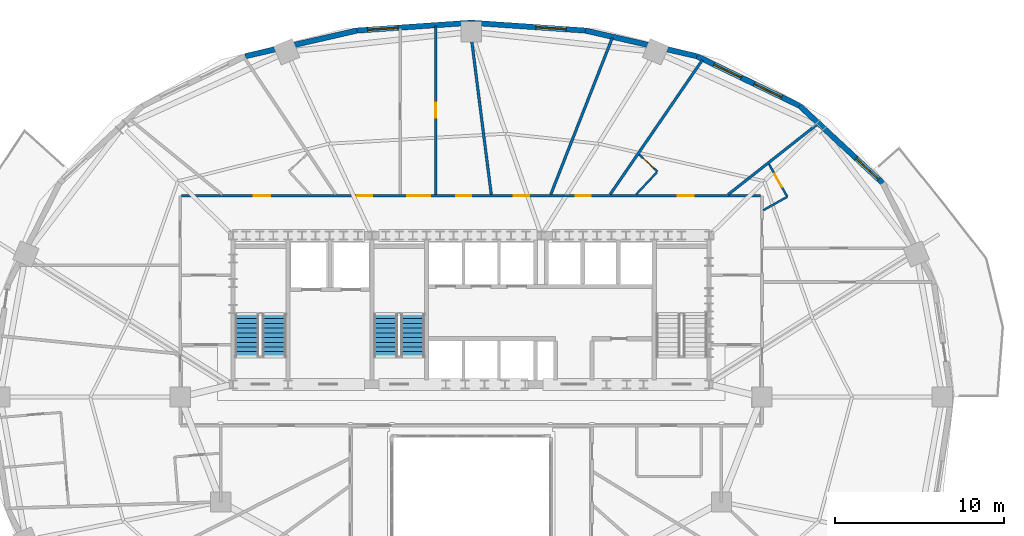
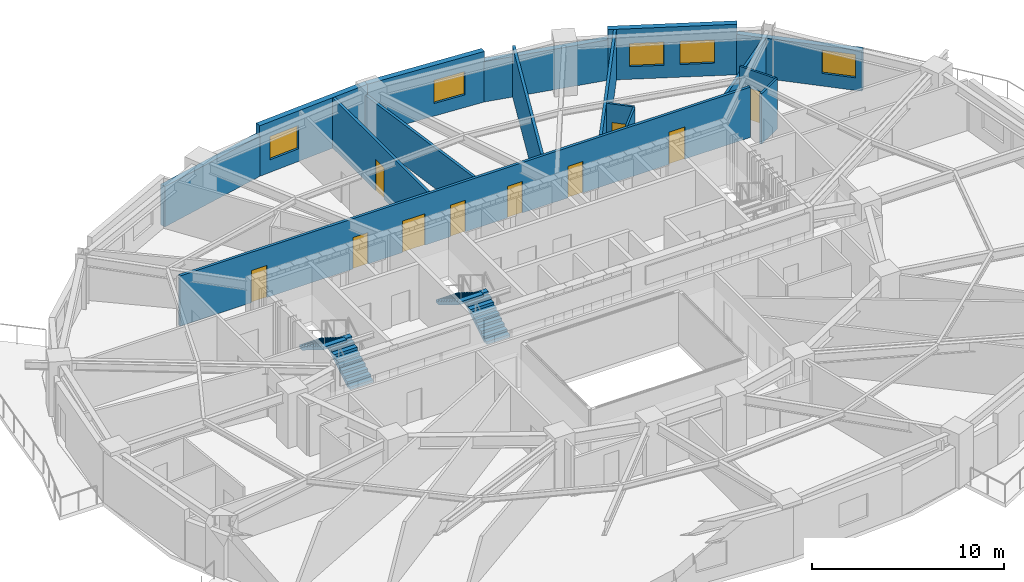
# One storey, part 10 of 14: 16 walls, 10 doors, 5 windows, 4 stair flights, 15 openings, 2 elements without a shape of their own.
"""IFC4 building model written with IfcOpenShell, lengths in metres."""

from ifc_helpers import new_model, si_unit, direction, frame, frame_2d, origin, place, context, subcontext, project, spatial, polyline, rectangle, outline, extrude, material, layer, layer_set, type_object, element, fill, aggregate, save


model = new_model("IFC4")

# Units and contexts
model_context = context("Model", 3, precision=1e-05, world=origin(), true_north=direction((0.0, 1.0)))
body_context = subcontext(model_context, "Body", "Model", "MODEL_VIEW")
ifc_project = project(units=[si_unit("LENGTHUNIT", "METRE"), si_unit("AREAUNIT", "SQUARE_METRE"), si_unit("VOLUMEUNIT", "CUBIC_METRE"), si_unit("PLANEANGLEUNIT", "RADIAN"), si_unit("MASSUNIT", "GRAM", prefix="KILO")], contexts=[model_context])

# Site, building, storey
site_placement = place(None, origin())
site = spatial("IfcSite", under=ifc_project, at=site_placement, CompositionType="ELEMENT")
building_placement = place(site_placement, origin())
building = spatial("IfcBuilding", under=site, at=building_placement, Name="Haldorwick Loom Tower", CompositionType="ELEMENT")
storey_placement = place(building_placement, frame((0.0, 0.0, 95.60009765625)))
storey = spatial("IfcBuildingStorey", under=building, at=storey_placement, Name="L25", CompositionType="ELEMENT", Elevation=95.60009765625)

# Wall, opening, window
ifc_material_1 = material(Name="Pressed Clay Face Brick and Insulated Masonry Backup Assembly", Category="masonry")
ifc_layer_1 = layer(ifc_material_1, 0.320068359375, Name="Pressed Clay Face Brick and Insulated Masonry Backup Assembly", Category="masonry")
ifc_layer_set_1 = layer_set([ifc_layer_1], Name="Pressed Clay Face Brick and Insulated Masonry Backup Assembly")
wall_type_1 = type_object("IfcWallType", Name="ARC-WL-EXT320", PredefinedType="STANDARD", material=ifc_layer_set_1)
wall_1_placement = place(storey_placement, frame((60.338623046875, 38.655517578125, 0.0), z_axis=(0.0, 0.0, 1.0), x_axis=(-0.732137360086, 0.681157020052, 0.0)))
wall_1 = element("IfcWall", 1, at=wall_1_placement, inside=storey, type_object=wall_type_1, Name="L25 Brick Pier and Spandrel Wall 3", PredefinedType="STANDARD", context=body_context, shape_type="SweptSolid", body=[
    extrude(rectangle(XDim=6.709228515625, YDim=0.320068359375, at=frame_2d((3.3544921875, 0.0))), origin(), (0.0, 0.0, 1.0), 2.56884765625),
])
opening_1_placement = place(wall_1_placement, frame((0.340087890625, 0.0, 0.800048828125)))
opening_1 = element("IfcOpeningElement", 2, at=opening_1_placement, cuts=wall_1, Name="Opening W-01", PredefinedType="OPENING", context=body_context, shape_type="SweptSolid", body=[
    extrude(rectangle(XDim=1.800048828125, YDim=1.47998046875, at=frame_2d((0.89990234375, 0.739990234375))), frame((0.0, 0.169921875, 0.0), z_axis=(0.0, -1.0, 0.0), x_axis=(1.0, 0.0, 0.0)), (0.0, 0.0, 1.0), 0.340087890625),
])
ifc_material_2 = material(Name="Triple-Glazed Low-E Argon Insulated Glazing Unit", Category="glass")
window_type = type_object("IfcWindowType", Name="ARC-WIN-W180", PartitioningType="SINGLE_PANEL", PredefinedType="WINDOW", material=ifc_material_2)
window_1_placement = place(opening_1_placement, origin())
window_1 = element("IfcWindow", 3, at=window_1_placement, inside=storey, type_object=window_type, Name="L25 Deep-Set Zone 7A Window 3", OverallHeight=1.47998046875, OverallWidth=1.800048828125, PartitioningType="SINGLE_PANEL", PredefinedType="WINDOW", context=body_context, shape_type="SweptSolid", body=[
    extrude(rectangle(XDim=1.800048828125, YDim=1.47998046875, at=frame_2d((0.89990234375, 0.739990234375))), frame((0.0, 0.030029296875, 0.0), z_axis=(0.0, -1.0, 0.0), x_axis=(1.0, 0.0, 0.0)), (0.0, 0.0, 1.0), 0.06005859375),
])
fill(opening_1, window_1)

# Wall, openings, windows
wall_2_placement = place(storey_placement, frame((55.426513671875, 43.2255859375, 0.0), z_axis=(0.0, 0.0, 1.0), x_axis=(-0.900510094661, 0.434835106004, 0.0)))
wall_2 = element("IfcWall", 4, at=wall_2_placement, inside=storey, type_object=wall_type_1, Name="L25 Brick Pier and Spandrel Wall 4", PredefinedType="STANDARD", context=body_context, shape_type="SweptSolid", body=[
    extrude(rectangle(XDim=6.744873046875, YDim=0.320068359375, at=frame_2d((3.37255859375, 0.0))), origin(), (0.0, 0.0, 1.0), 3.2099609375),
])
opening_2_placement = place(wall_2_placement, frame((1.180908203125, 0.0, 0.800048828125)))
opening_2 = element("IfcOpeningElement", 5, at=opening_2_placement, cuts=wall_2, Name="Opening W-01", PredefinedType="OPENING", context=body_context, shape_type="SweptSolid", body=[
    extrude(rectangle(XDim=1.800048828125, YDim=1.47998046875, at=frame_2d((0.89990234375, 0.739990234375))), frame((0.0, 0.169921875, 0.0), z_axis=(0.0, -1.0, 0.0), x_axis=(1.0, 0.0, 0.0)), (0.0, 0.0, 1.0), 0.340087890625),
])
opening_3_placement = place(wall_2_placement, frame((3.8212890625, 0.0, 0.800048828125)))
opening_3 = element("IfcOpeningElement", 6, at=opening_3_placement, cuts=wall_2, Name="Opening W-01", PredefinedType="OPENING", context=body_context, shape_type="SweptSolid", body=[
    extrude(rectangle(XDim=1.800048828125, YDim=1.47998046875, at=frame_2d((0.89990234375, 0.739990234375))), frame((0.0, 0.169921875, 0.0), z_axis=(0.0, -1.0, 0.0), x_axis=(1.0, 0.0, 0.0)), (0.0, 0.0, 1.0), 0.340087890625),
])
window_2_placement = place(opening_2_placement, origin())
window_2 = element("IfcWindow", 7, at=window_2_placement, inside=storey, type_object=window_type, Name="L25 Deep-Set Zone 7A Window 4", OverallHeight=1.47998046875, OverallWidth=1.800048828125, PartitioningType="SINGLE_PANEL", PredefinedType="WINDOW", context=body_context, shape_type="SweptSolid", body=[
    extrude(rectangle(XDim=1.800048828125, YDim=1.47998046875, at=frame_2d((0.89990234375, 0.739990234375))), frame((0.0, 0.030029296875, 0.0), z_axis=(0.0, -1.0, 0.0), x_axis=(1.0, 0.0, 0.0)), (0.0, 0.0, 1.0), 0.06005859375),
])
fill(opening_2, window_2)
window_3_placement = place(opening_3_placement, origin())
window_3 = element("IfcWindow", 8, at=window_3_placement, inside=storey, type_object=window_type, Name="L25 Deep-Set Zone 7A Window 4", OverallHeight=1.47998046875, OverallWidth=1.800048828125, PartitioningType="SINGLE_PANEL", PredefinedType="WINDOW", context=body_context, shape_type="SweptSolid", body=[
    extrude(rectangle(XDim=1.800048828125, YDim=1.47998046875, at=frame_2d((0.89990234375, 0.739990234375))), frame((0.0, 0.030029296875, 0.0), z_axis=(0.0, -1.0, 0.0), x_axis=(1.0, 0.0, 0.0)), (0.0, 0.0, 1.0), 0.06005859375),
])
fill(opening_3, window_3)

# Wall
wall_3_placement = place(storey_placement, frame((49.352783203125, 46.158447265625, 0.0), z_axis=(0.0, 0.0, 1.0), x_axis=(-0.974584177714, 0.224021607329, 0.0)))
element("IfcWall", 9, at=wall_3_placement, inside=storey, type_object=wall_type_1, Name="L25 Brick Pier and Spandrel Wall 5", PredefinedType="STANDARD", context=body_context, shape_type="SweptSolid", body=[
    extrude(rectangle(XDim=6.767822265625, YDim=0.320068359375, at=frame_2d((3.3837890625, 0.0))), origin(), (0.0, 0.0, 1.0), 2.56884765625),
])

# Wall, opening, window
wall_4_placement = place(storey_placement, frame((42.757080078125, 47.674560546875, 0.0), z_axis=(0.0, 0.0, 1.0), x_axis=(-0.997651949344, 0.068487867318, 0.0)))
wall_4 = element("IfcWall", 10, at=wall_4_placement, inside=storey, type_object=wall_type_1, Name="L25 Brick Pier and Spandrel Wall 6", PredefinedType="STANDARD", context=body_context, shape_type="SweptSolid", body=[
    extrude(rectangle(XDim=6.77294921875, YDim=0.320068359375, at=frame_2d((3.386474609375, 0.0))), origin(), (0.0, 0.0, 1.0), 3.2099609375),
])
opening_4_placement = place(wall_4_placement, frame((1.1318359375, 0.0, 0.800048828125)))
opening_4 = element("IfcOpeningElement", 11, at=opening_4_placement, cuts=wall_4, Name="Opening W-01", PredefinedType="OPENING", context=body_context, shape_type="SweptSolid", body=[
    extrude(rectangle(XDim=1.800048828125, YDim=1.47998046875, at=frame_2d((0.89990234375, 0.739990234375))), frame((0.0, 0.169921875, 0.0), z_axis=(0.0, -1.0, 0.0), x_axis=(1.0, 0.0, 0.0)), (0.0, 0.0, 1.0), 0.340087890625),
])
window_4_placement = place(opening_4_placement, origin())
window_4 = element("IfcWindow", 12, at=window_4_placement, inside=storey, type_object=window_type, Name="L25 Deep-Set Zone 7A Window 6", OverallHeight=1.47998046875, OverallWidth=1.800048828125, PartitioningType="SINGLE_PANEL", PredefinedType="WINDOW", context=body_context, shape_type="SweptSolid", body=[
    extrude(rectangle(XDim=1.800048828125, YDim=1.47998046875, at=frame_2d((0.89990234375, 0.739990234375))), frame((0.0, 0.030029296875, 0.0), z_axis=(0.0, -1.0, 0.0), x_axis=(1.0, 0.0, 0.0)), (0.0, 0.0, 1.0), 0.06005859375),
])
fill(opening_4, window_4)

wall_5_placement = place(storey_placement, frame((36.0, 48.138427734375, 0.0), z_axis=(0.0, 0.0, 1.0), x_axis=(-0.997651949344, -0.068487867318, 0.0)))
wall_5 = element("IfcWall", 13, at=wall_5_placement, inside=storey, type_object=wall_type_1, Name="L25 Brick Pier and Spandrel Wall 7", PredefinedType="STANDARD", context=body_context, shape_type="SweptSolid", body=[
    extrude(rectangle(XDim=6.77294921875, YDim=0.320068359375, at=frame_2d((3.386474609375, 0.0))), origin(), (0.0, 0.0, 1.0), 3.2099609375),
])
opening_5_placement = place(wall_5_placement, frame((4.3349609375, 0.0, 0.800048828125)))
opening_5 = element("IfcOpeningElement", 14, at=opening_5_placement, cuts=wall_5, Name="Opening W-01", PredefinedType="OPENING", context=body_context, shape_type="SweptSolid", body=[
    extrude(rectangle(XDim=1.800048828125, YDim=1.47998046875, at=frame_2d((0.89990234375, 0.739990234375))), frame((0.0, 0.169921875, 0.0), z_axis=(0.0, -1.0, 0.0), x_axis=(1.0, 0.0, 0.0)), (0.0, 0.0, 1.0), 0.340087890625),
])
window_5_placement = place(opening_5_placement, origin())
window_5 = element("IfcWindow", 15, at=window_5_placement, inside=storey, type_object=window_type, Name="L25 Deep-Set Zone 7A Window 7", OverallHeight=1.47998046875, OverallWidth=1.800048828125, PartitioningType="SINGLE_PANEL", PredefinedType="WINDOW", context=body_context, shape_type="SweptSolid", body=[
    extrude(rectangle(XDim=1.800048828125, YDim=1.47998046875, at=frame_2d((0.89990234375, 0.739990234375))), frame((0.0, 0.030029296875, 0.0), z_axis=(0.0, -1.0, 0.0), x_axis=(1.0, 0.0, 0.0)), (0.0, 0.0, 1.0), 0.06005859375),
])
fill(opening_5, window_5)

# Wall
wall_6_placement = place(storey_placement, frame((29.242919921875, 47.674560546875, 0.0), z_axis=(0.0, 0.0, 1.0), x_axis=(-0.974584177714, -0.224021607329, 0.0)))
element("IfcWall", 16, at=wall_6_placement, inside=storey, type_object=wall_type_1, Name="L25 Brick Pier and Spandrel Wall 8", PredefinedType="STANDARD", context=body_context, shape_type="SweptSolid", body=[
    extrude(rectangle(XDim=6.767822265625, YDim=0.320068359375, at=frame_2d((3.3837890625, 0.0))), origin(), (0.0, 0.0, 1.0), 2.56884765625),
])

# Wall, openings, doors
ifc_material_3 = material(Name="Fire-Rated Type X Gypsum Stud Assembly EI 60")
ifc_layer_2 = layer(ifc_material_3, 0.159912109375, Name="Fire-Rated Type X Gypsum Stud Assembly EI 60")
ifc_layer_set_2 = layer_set([ifc_layer_2], Name="Fire-Rated Type X Gypsum Stud Assembly EI 60")
wall_type_2 = type_object("IfcWallType", Name="ARC-WL-FIRE160", PredefinedType="PARTITIONING", material=ifc_layer_set_2)
wall_7_placement = place(storey_placement, frame((18.883056640625, 37.89990234375, 0.0), z_axis=(0.0, 0.0, 1.0), x_axis=(1.0, 0.0, 0.0)))
wall_7 = element("IfcWall", 17, at=wall_7_placement, inside=storey, type_object=wall_type_2, Name="L25 Residential Fire Partition L25-CR-N0", PredefinedType="PARTITIONING", context=body_context, shape_type="SweptSolid", body=[
    extrude(rectangle(XDim=34.23388671875, YDim=0.159912109375, at=frame_2d((17.116943359375, 0.0))), origin(), (0.0, 0.0, 1.0), 3.19482421875),
])
opening_6_placement = place(wall_7_placement, frame((13.349853515625, 0.0, 0.0)))
opening_6 = element("IfcOpeningElement", 18, at=opening_6_placement, cuts=wall_7, Name="Opening D-CR15", PredefinedType="OPENING", context=body_context, shape_type="SweptSolid", body=[
    extrude(rectangle(XDim=1.35009765625, YDim=2.0, at=frame_2d((0.675048828125, 1.0))), frame((0.0, 0.08984375, 0.0), z_axis=(0.0, -1.0, 0.0), x_axis=(1.0, 0.0, 0.0)), (0.0, 0.0, 1.0), 0.179931640625),
])
opening_7_placement = place(wall_7_placement, frame((29.341796875, 0.0, 0.0)))
opening_7 = element("IfcOpeningElement", 19, at=opening_7_placement, cuts=wall_7, Name="Opening D-FL95", PredefinedType="OPENING", context=body_context, shape_type="SweptSolid", body=[
    extrude(rectangle(XDim=0.949951171875, YDim=2.0400390625, at=frame_2d((0.47509765625, 1.02001953125))), frame((0.0, 0.08984375, 0.0), z_axis=(0.0, -1.0, 0.0), x_axis=(1.0, 0.0, 0.0)), (0.0, 0.0, 1.0), 0.179931640625),
])
opening_8_placement = place(wall_7_placement, frame((4.273681640625, 0.0, 0.0)))
opening_8 = element("IfcOpeningElement", 20, at=opening_8_placement, cuts=wall_7, Name="Opening D-FL95", PredefinedType="OPENING", context=body_context, shape_type="SweptSolid", body=[
    extrude(rectangle(XDim=0.949951171875, YDim=2.0400390625, at=frame_2d((0.47509765625, 1.02001953125))), frame((0.0, 0.08984375, 0.0), z_axis=(0.0, -1.0, 0.0), x_axis=(1.0, 0.0, 0.0)), (0.0, 0.0, 1.0), 0.179931640625),
])
opening_9_placement = place(wall_7_placement, frame((10.372314453125, 0.0, 0.0)))
opening_9 = element("IfcOpeningElement", 21, at=opening_9_placement, cuts=wall_7, Name="Opening D-FD60A", PredefinedType="OPENING", context=body_context, shape_type="SweptSolid", body=[
    extrude(rectangle(XDim=0.89990234375, YDim=2.0, at=frame_2d((0.449951171875, 1.0))), frame((0.0, 0.08984375, 0.0), z_axis=(0.0, -1.0, 0.0), x_axis=(1.0, 0.0, 0.0)), (0.0, 0.0, 1.0), 0.179931640625),
])
opening_10_placement = place(wall_7_placement, frame((23.29296875, 0.0, 0.0)))
opening_10 = element("IfcOpeningElement", 22, at=opening_10_placement, cuts=wall_7, Name="Opening D-FD60A", PredefinedType="OPENING", context=body_context, shape_type="SweptSolid", body=[
    extrude(rectangle(XDim=0.89990234375, YDim=2.0, at=frame_2d((0.449951171875, 1.0))), frame((0.0, 0.08984375, 0.0), z_axis=(0.0, -1.0, 0.0), x_axis=(1.0, 0.0, 0.0)), (0.0, 0.0, 1.0), 0.179931640625),
])
opening_11_placement = place(wall_7_placement, frame((19.648681640625, 0.0, 0.0)))
opening_11 = element("IfcOpeningElement", 23, at=opening_11_placement, cuts=wall_7, Name="Opening D-FD60A", PredefinedType="OPENING", context=body_context, shape_type="SweptSolid", body=[
    extrude(rectangle(XDim=0.89990234375, YDim=2.0, at=frame_2d((0.449951171875, 1.0))), frame((0.0, 0.08984375, 0.0), z_axis=(0.0, -1.0, 0.0), x_axis=(1.0, 0.0, 0.0)), (0.0, 0.0, 1.0), 0.179931640625),
])
opening_12_placement = place(wall_7_placement, frame((16.225341796875, 0.0, 0.0)))
opening_12 = element("IfcOpeningElement", 24, at=opening_12_placement, cuts=wall_7, Name="Opening D-FD60A", PredefinedType="OPENING", context=body_context, shape_type="SweptSolid", body=[
    extrude(rectangle(XDim=0.89990234375, YDim=2.0, at=frame_2d((0.449951171875, 1.0))), frame((0.0, 0.08984375, 0.0), z_axis=(0.0, -1.0, 0.0), x_axis=(1.0, 0.0, 0.0)), (0.0, 0.0, 1.0), 0.179931640625),
])
ifc_material_4 = material(Name="Thermally Broken Anodized Aluminium and Tempered Glass", Category="aluminium")
door_type_1 = type_object("IfcDoorType", Name="ARC-DR-COR150", OperationType="NOTDEFINED", PredefinedType="DOOR", material=ifc_material_4)
door_1_placement = place(opening_6_placement, origin())
door_1 = element("IfcDoor", 25, at=door_1_placement, inside=storey, type_object=door_type_1, Name="L25 L25 North Daylight Corridor to L25 North Residential Corridor Door", OperationType="DOUBLE_DOOR_SINGLE_SWING", OverallHeight=2.0, OverallWidth=1.35009765625, PredefinedType="DOOR", context=body_context, shape_type="SweptSolid", body=[
    extrude(rectangle(XDim=1.35009765625, YDim=2.0, at=frame_2d((0.675048828125, 1.0))), frame((0.0, 0.02490234375, 0.0), z_axis=(0.0, -1.0, 0.0), x_axis=(1.0, 0.0, 0.0)), (0.0, 0.0, 1.0), 0.050048828125),
])
fill(opening_6, door_1)
ifc_material_5 = material(Name="Hollow Steel Fire Door Assembly", Category="steel")
door_type_2 = type_object("IfcDoorType", Name="ARC-DR-FD60-90", OperationType="NOTDEFINED", PredefinedType="DOOR", material=ifc_material_5)
door_2_placement = place(opening_9_placement, frame((0.89990234375, 0.0, 0.0), z_axis=(0.0, 0.0, 1.0), x_axis=(-1.0, 0.0, 0.0)))
door_2 = element("IfcDoor", 26, at=door_2_placement, inside=storey, type_object=door_type_2, Name="L25 Community Teaching Classroom 2 to L25 North Residential Corridor Doo", OperationType="SINGLE_SWING_LEFT", OverallHeight=2.0, OverallWidth=0.89990234375, PredefinedType="DOOR", context=body_context, shape_type="SweptSolid", body=[
    extrude(rectangle(XDim=0.89990234375, YDim=2.0, at=frame_2d((0.449951171875, 1.0))), frame((0.0, 0.02490234375, 0.0), z_axis=(0.0, -1.0, 0.0), x_axis=(1.0, 0.0, 0.0)), (0.0, 0.0, 1.0), 0.050048828125),
])
fill(opening_9, door_2)
door_3_placement = place(opening_10_placement, frame((0.89990234375, 0.0, 0.0), z_axis=(0.0, 0.0, 1.0), x_axis=(-1.0, 0.0, 0.0)))
door_3 = element("IfcDoor", 27, at=door_3_placement, inside=storey, type_object=door_type_2, Name="L25 Community Teaching Classroom 12 to L25 North Residential Corridor Do", OperationType="SINGLE_SWING_LEFT", OverallHeight=2.0, OverallWidth=0.89990234375, PredefinedType="DOOR", context=body_context, shape_type="SweptSolid", body=[
    extrude(rectangle(XDim=0.89990234375, YDim=2.0, at=frame_2d((0.449951171875, 1.0))), frame((0.0, 0.02490234375, 0.0), z_axis=(0.0, -1.0, 0.0), x_axis=(1.0, 0.0, 0.0)), (0.0, 0.0, 1.0), 0.050048828125),
])
fill(opening_10, door_3)
door_4_placement = place(opening_11_placement, frame((0.89990234375, 0.0, 0.0), z_axis=(0.0, 0.0, 1.0), x_axis=(-1.0, 0.0, 0.0)))
door_4 = element("IfcDoor", 28, at=door_4_placement, inside=storey, type_object=door_type_2, Name="L25 Community Teaching Classroom 13 to L25 North Residential Corridor Do", OperationType="SINGLE_SWING_RIGHT", OverallHeight=2.0, OverallWidth=0.89990234375, PredefinedType="DOOR", context=body_context, shape_type="SweptSolid", body=[
    extrude(rectangle(XDim=0.89990234375, YDim=2.0, at=frame_2d((0.449951171875, 1.0))), frame((0.0, 0.02490234375, 0.0), z_axis=(0.0, -1.0, 0.0), x_axis=(1.0, 0.0, 0.0)), (0.0, 0.0, 1.0), 0.050048828125),
])
fill(opening_11, door_4)
door_5_placement = place(opening_12_placement, frame((0.89990234375, 0.0, 0.0), z_axis=(0.0, 0.0, 1.0), x_axis=(-1.0, 0.0, 0.0)))
door_5 = element("IfcDoor", 29, at=door_5_placement, inside=storey, type_object=door_type_2, Name="L25 Shared Tea Pantry 8 to L25 North Residential Corridor Door", OperationType="SINGLE_SWING_LEFT", OverallHeight=2.0, OverallWidth=0.89990234375, PredefinedType="DOOR", context=body_context, shape_type="SweptSolid", body=[
    extrude(rectangle(XDim=0.89990234375, YDim=2.0, at=frame_2d((0.449951171875, 1.0))), frame((0.0, 0.02490234375, 0.0), z_axis=(0.0, -1.0, 0.0), x_axis=(1.0, 0.0, 0.0)), (0.0, 0.0, 1.0), 0.050048828125),
])
fill(opening_12, door_5)
ifc_material_6 = material(Name="Solid Core Birch Architectural Door")
door_type_3 = type_object("IfcDoorType", Name="ARC-DR-FLAT95", OperationType="NOTDEFINED", PredefinedType="DOOR", material=ifc_material_6)
door_6_placement = place(opening_7_placement, frame((0.949951171875, 0.0, 0.0), z_axis=(0.0, 0.0, 1.0), x_axis=(-1.0, 0.0, 0.0)))
door_6 = element("IfcDoor", 30, at=door_6_placement, inside=storey, type_object=door_type_3, Name="L25 Unit 25K Kitchen and Studio Living Room to L25 North Residential Cor", OperationType="SINGLE_SWING_LEFT", OverallHeight=2.0400390625, OverallWidth=0.949951171875, PredefinedType="DOOR", context=body_context, shape_type="SweptSolid", body=[
    extrude(rectangle(XDim=0.949951171875, YDim=2.0400390625, at=frame_2d((0.47509765625, 1.02001953125))), frame((0.0, 0.02490234375, 0.0), z_axis=(0.0, -1.0, 0.0), x_axis=(1.0, 0.0, 0.0)), (0.0, 0.0, 1.0), 0.050048828125),
])
fill(opening_7, door_6)
door_7_placement = place(opening_8_placement, frame((0.949951171875, 0.0, 0.0), z_axis=(0.0, 0.0, 1.0), x_axis=(-1.0, 0.0, 0.0)))
door_7 = element("IfcDoor", 31, at=door_7_placement, inside=storey, type_object=door_type_3, Name="L25 Unit 25J Kitchen and Studio Living Room to L25 North Residential Cor", OperationType="SINGLE_SWING_RIGHT", OverallHeight=2.0400390625, OverallWidth=0.949951171875, PredefinedType="DOOR", context=body_context, shape_type="SweptSolid", body=[
    extrude(rectangle(XDim=0.949951171875, YDim=2.0400390625, at=frame_2d((0.47509765625, 1.02001953125))), frame((0.0, 0.02490234375, 0.0), z_axis=(0.0, -1.0, 0.0), x_axis=(1.0, 0.0, 0.0)), (0.0, 0.0, 1.0), 0.050048828125),
])
fill(opening_8, door_7)

# Wall, opening, door
wall_8_placement = place(storey_placement, frame((33.89990234375, 37.98291015625, 0.0), z_axis=(0.0, 0.0, 1.0), x_axis=(0.0, 1.0, 0.0)))
wall_8 = element("IfcWall", 32, at=wall_8_placement, inside=storey, type_object=wall_type_2, Name="L25 Residential Fire Partition L25-CR-NG1", PredefinedType="PARTITIONING", context=body_context, shape_type="SweptSolid", body=[
    extrude(rectangle(XDim=9.9462890625, YDim=0.159912109375, at=frame_2d((4.97314453125, 0.0))), origin(), (0.0, 0.0, 1.0), 3.19482421875),
])
opening_13_placement = place(wall_8_placement, frame((4.523193359375, 0.0, 0.0)))
opening_13 = element("IfcOpeningElement", 33, at=opening_13_placement, cuts=wall_8, Name="Opening D-FD60A", PredefinedType="OPENING", context=body_context, shape_type="SweptSolid", body=[
    extrude(rectangle(XDim=0.89990234375, YDim=2.0, at=frame_2d((0.449951171875, 1.0))), frame((0.0, 0.08984375, 0.0), z_axis=(0.0, -1.0, 0.0), x_axis=(1.0, 0.0, 0.0)), (0.0, 0.0, 1.0), 0.179931640625),
])
door_8_placement = place(opening_13_placement, origin())
door_8 = element("IfcDoor", 34, at=door_8_placement, inside=storey, type_object=door_type_2, Name="L25 L25 North Daylight Corridor to Shared Tea Pantry 8 Door", OperationType="SINGLE_SWING_LEFT", OverallHeight=2.0, OverallWidth=0.89990234375, PredefinedType="DOOR", context=body_context, shape_type="SweptSolid", body=[
    extrude(rectangle(XDim=0.89990234375, YDim=2.0, at=frame_2d((0.449951171875, 1.0))), frame((0.0, 0.02490234375, 0.0), z_axis=(0.0, -1.0, 0.0), x_axis=(1.0, 0.0, 0.0)), (0.0, 0.0, 1.0), 0.050048828125),
])
fill(opening_13, door_8)

# Walls
wall_9_placement = place(storey_placement, frame((37.189453125, 37.98291015625, 0.0), z_axis=(0.0, 0.0, 1.0), x_axis=(-0.125997299204, 0.992030584505, 0.0)))
element("IfcWall", 35, at=wall_9_placement, inside=storey, type_object=wall_type_2, Name="L25 Residential Fire Partition L25-UPN-11", PredefinedType="PARTITIONING", context=body_context, shape_type="SweptSolid", body=[
    extrude(rectangle(XDim=10.1650390625, YDim=0.159912109375, at=frame_2d((5.08251953125, 0.0))), origin(), (0.0, 0.0, 1.0), 2.56787109375),
])
wall_10_placement = place(storey_placement, frame((51.205810546875, 37.98291015625, 0.0), z_axis=(0.0, 0.0, 1.0), x_axis=(0.785418432726, 0.61896517312, 0.0)))
element("IfcWall", 36, at=wall_10_placement, inside=storey, type_object=wall_type_2, Name="L25 Suite Split Wall", PredefinedType="PARTITIONING", context=body_context, shape_type="SweptSolid", body=[
    extrude(rectangle(XDim=6.727783203125, YDim=0.159912109375, at=frame_2d((3.36376953125, 0.0))), origin(), (0.0, 0.0, 1.0), 2.56787109375),
])
wall_11_placement = place(storey_placement, frame((44.220703125, 37.98291015625, 0.0), z_axis=(0.0, 0.0, 1.0), x_axis=(0.565704064615, 0.824608338109, 0.0)))
element("IfcWall", 37, at=wall_11_placement, inside=storey, type_object=wall_type_2, Name="L25 Suite Split Wall", PredefinedType="PARTITIONING", context=body_context, shape_type="SweptSolid", body=[
    extrude(rectangle(XDim=9.63916015625, YDim=0.159912109375, at=frame_2d((4.819580078125, 0.0))), origin(), (0.0, 0.0, 1.0), 3.19482421875),
])
wall_12_placement = place(storey_placement, frame((40.710205078125, 37.98291015625, 0.0), z_axis=(0.0, 0.0, 1.0), x_axis=(0.365807260014, 0.930690629866, 0.0)))
element("IfcWall", 38, at=wall_12_placement, inside=storey, type_object=wall_type_2, Name="L25 Suite Split Wall", PredefinedType="PARTITIONING", context=body_context, shape_type="SweptSolid", body=[
    extrude(rectangle(XDim=9.9482421875, YDim=0.159912109375, at=frame_2d((4.97412109375, 0.0))), origin(), (0.0, 0.0, 1.0), 3.19482421875),
])

# Wall, opening, door
ifc_material_7 = material(Name="Acoustic Gypsum Stud Assembly STC 55")
ifc_layer_3 = layer(ifc_material_7, 0.1201171875, Name="Acoustic Gypsum Stud Assembly STC 55")
ifc_layer_set_3 = layer_set([ifc_layer_3], Name="Acoustic Gypsum Stud Assembly STC 55")
wall_type_3 = type_object("IfcWallType", Name="ARC-WL-PART120", PredefinedType="PARTITIONING", material=ifc_layer_set_3)
wall_13_placement = place(storey_placement, frame((54.697509765625, 37.843994140625, 0.0), z_axis=(0.0, 0.0, 1.0), x_axis=(-0.488747724056, 0.872425161392, 0.0)))
wall_13 = element("IfcWall", 39, at=wall_13_placement, inside=storey, type_object=wall_type_3, Name="L25 Unit 25C Interior Partition", PredefinedType="PARTITIONING", context=body_context, shape_type="SweptSolid", body=[
    extrude(rectangle(XDim=2.21435546875, YDim=0.1201171875, at=frame_2d((1.107177734375, 0.0))), origin(), (0.0, 0.0, 1.0), 3.19482421875),
])
opening_14_placement = place(wall_13_placement, frame((0.667236328125, 0.0, 0.0)))
opening_14 = element("IfcOpeningElement", 40, at=opening_14_placement, cuts=wall_13, Name="Opening D-BT88", PredefinedType="OPENING", context=body_context, shape_type="SweptSolid", body=[
    extrude(rectangle(XDim=0.8798828125, YDim=2.02001953125, at=frame_2d((0.43994140625, 1.010009765625))), frame((0.0, 0.070068359375, 0.0), z_axis=(0.0, -1.0, 0.0), x_axis=(1.0, 0.0, 0.0)), (0.0, 0.0, 1.0), 0.14013671875),
])
door_type_4 = type_object("IfcDoorType", Name="ARC-DR-BATH88", OperationType="NOTDEFINED", PredefinedType="DOOR", material=ifc_material_6)
door_9_placement = place(opening_14_placement, origin())
door_9 = element("IfcDoor", 41, at=door_9_placement, inside=storey, type_object=door_type_4, Name="L25 Unit 25C Bathroom to Unit 25C Kitchen and Studio Living Room Door", OperationType="SINGLE_SWING_RIGHT", OverallHeight=2.02001953125, OverallWidth=0.8798828125, PredefinedType="DOOR", context=body_context, shape_type="SweptSolid", body=[
    extrude(rectangle(XDim=0.8798828125, YDim=2.02001953125, at=frame_2d((0.43994140625, 1.010009765625))), frame((0.0, 0.02490234375, 0.0), z_axis=(0.0, -1.0, 0.0), x_axis=(1.0, 0.0, 0.0)), (0.0, 0.0, 1.0), 0.050048828125),
])
fill(opening_14, door_9)

# Wall
wall_14_placement = place(storey_placement, frame((53.282958984375, 37.0517578125, 0.0), z_axis=(0.0, 0.0, 1.0), x_axis=(0.872482904661, 0.488644636801, 0.0)))
element("IfcWall", 42, at=wall_14_placement, inside=storey, type_object=wall_type_3, Name="L25 Unit 25C Interior Partition", PredefinedType="PARTITIONING", context=body_context, shape_type="SweptSolid", body=[
    extrude(rectangle(XDim=1.621337890625, YDim=0.1201171875, at=frame_2d((0.810546875, 0.0))), origin(), (0.0, 0.0, 1.0), 3.19482421875),
])

# Wall, opening, door
wall_15_placement = place(storey_placement, frame((47.0185546875, 39.3271484375, 0.0), z_axis=(0.0, 0.0, 1.0), x_axis=(-0.729732555266, 0.683732694688, 0.0)))
wall_15 = element("IfcWall", 43, at=wall_15_placement, inside=storey, type_object=wall_type_3, Name="L25 Unit 25K Interior Partition", PredefinedType="PARTITIONING", context=body_context, shape_type="SweptSolid", body=[
    extrude(rectangle(XDim=1.480712890625, YDim=0.1201171875, at=frame_2d((0.740234375, 0.0))), origin(), (0.0, 0.0, 1.0), 3.19482421875),
])
opening_15_placement = place(wall_15_placement, frame((0.30029296875, 0.0, 0.0)))
opening_15 = element("IfcOpeningElement", 44, at=opening_15_placement, cuts=wall_15, Name="Opening D-BT88", PredefinedType="OPENING", context=body_context, shape_type="SweptSolid", body=[
    extrude(rectangle(XDim=0.8798828125, YDim=2.02001953125, at=frame_2d((0.43994140625, 1.010009765625))), frame((0.0, 0.070068359375, 0.0), z_axis=(0.0, -1.0, 0.0), x_axis=(1.0, 0.0, 0.0)), (0.0, 0.0, 1.0), 0.14013671875),
])
door_10_placement = place(opening_15_placement, origin())
door_10 = element("IfcDoor", 45, at=door_10_placement, inside=storey, type_object=door_type_4, Name="L25 Unit 25K Bathroom to Unit 25K Kitchen and Studio Living Room Door", OperationType="SINGLE_SWING_RIGHT", OverallHeight=2.02001953125, OverallWidth=0.8798828125, PredefinedType="DOOR", context=body_context, shape_type="SweptSolid", body=[
    extrude(rectangle(XDim=0.8798828125, YDim=2.02001953125, at=frame_2d((0.43994140625, 1.010009765625))), frame((0.0, 0.02490234375, 0.0), z_axis=(0.0, -1.0, 0.0), x_axis=(1.0, 0.0, 0.0)), (0.0, 0.0, 1.0), 0.050048828125),
])
fill(opening_15, door_10)

# Wall
wall_16_placement = place(storey_placement, frame((45.75927734375, 37.98291015625, 0.0), z_axis=(0.0, 0.0, 1.0), x_axis=(0.683744798075, 0.729721214646, 0.0)))
element("IfcWall", 46, at=wall_16_placement, inside=storey, type_object=wall_type_3, Name="L25 Unit 25K Interior Partition", PredefinedType="PARTITIONING", context=body_context, shape_type="SweptSolid", body=[
    extrude(rectangle(XDim=1.77880859375, YDim=0.1201171875, at=frame_2d((0.889404296875, 0.0))), origin(), (0.0, 0.0, 1.0), 3.19482421875),
])

# Stair, stair flights
ifc_material_8 = material(Name="Concrete C40 (40 MPa)", Category="concrete")
stair_type = type_object("IfcStairType", Name="STR-STR-CORE", PredefinedType="HALF_TURN_STAIR", material=ifc_material_8)
stair_1_placement = place(storey_placement, origin())
stair_1 = element("IfcStair", 47, at=stair_1_placement, inside=storey, type_object=stair_type, Name="L25 Exit Stair ST-01", PredefinedType="HALF_TURN_STAIR")
stair_flight_type = type_object("IfcStairFlightType", Name="STR-STF-1250", PredefinedType="STRAIGHT", material=ifc_material_8)
stair_flight_1_placement = place(storey_placement, frame((24.35009765625, 28.39990234375, 0.0), z_axis=(0.0, 0.0, 1.0), x_axis=(0.0, 1.0, 0.0)))
stair_flight_1 = element("IfcStairFlight", 48, at=stair_flight_1_placement, type_object=stair_flight_type, Name="ST-01 flight 1", NumberOfRisers=10, NumberOfTreads=9, PredefinedType="STRAIGHT", RiserHeight=0.1725, TreadLength=0.28, context=body_context, shape_type="SweptSolid", body=[
    extrude(outline(polyline([(0.0, 0.0), (0.0, 0.172607421875), (0.280029296875, 0.172607421875), (0.280029296875, 0.344970703125), (0.56005859375, 0.344970703125), (0.56005859375, 0.517578125), (0.840087890625, 0.517578125), (0.840087890625, 0.68994140625), (1.1201171875, 0.68994140625), (1.1201171875, 0.862548828125), (1.39990234375, 0.862548828125), (1.39990234375, 1.034912109375), (1.679931640625, 1.034912109375), (1.679931640625, 1.20751953125), (1.9599609375, 1.20751953125), (1.9599609375, 1.3798828125), (2.239990234375, 1.3798828125), (2.239990234375, 1.552490234375), (2.52001953125, 1.552490234375), (2.52001953125, 1.72509765625), (2.52001953125, 1.37646484375), (0.285888671875, 0.0), (0.0, 0.0)])), frame((0.0, 0.699951171875, 0.0), z_axis=(0.0, -1.0, 0.0), x_axis=(1.0, 0.0, 0.0)), (0.0, 0.0, 1.0), 1.39990234375),
])
stair_flight_2_placement = place(storey_placement, frame((22.75, 30.919921875, 1.724853515625), z_axis=(0.0, 0.0, 1.0), x_axis=(0.0, -1.0, 0.0)))
stair_flight_2 = element("IfcStairFlight", 49, at=stair_flight_2_placement, type_object=stair_flight_type, Name="ST-01 flight 2", NumberOfRisers=10, NumberOfTreads=9, PredefinedType="STRAIGHT", RiserHeight=0.1725, TreadLength=0.28, context=body_context, shape_type="SweptSolid", body=[
    extrude(outline(polyline([(0.0, 0.0), (0.0, 0.172607421875), (0.280029296875, 0.172607421875), (0.280029296875, 0.344970703125), (0.56005859375, 0.344970703125), (0.56005859375, 0.517578125), (0.840087890625, 0.517578125), (0.840087890625, 0.68994140625), (1.1201171875, 0.68994140625), (1.1201171875, 0.862548828125), (1.39990234375, 0.862548828125), (1.39990234375, 1.034912109375), (1.679931640625, 1.034912109375), (1.679931640625, 1.20751953125), (1.9599609375, 1.20751953125), (1.9599609375, 1.3798828125), (2.239990234375, 1.3798828125), (2.239990234375, 1.552490234375), (2.52001953125, 1.552490234375), (2.52001953125, 1.72509765625), (2.52001953125, 1.37646484375), (0.285888671875, 0.0), (0.0, 0.0)])), frame((0.0, 0.699951171875, 0.0), z_axis=(0.0, -1.0, 0.0), x_axis=(1.0, 0.0, 0.0)), (0.0, 0.0, 1.0), 1.39990234375),
])
aggregate(stair_1, [stair_flight_1, stair_flight_2])

stair_2_placement = place(storey_placement, origin())
stair_2 = element("IfcStair", 50, at=stair_2_placement, inside=storey, type_object=stair_type, Name="L25 Exit Stair ST-03", PredefinedType="HALF_TURN_STAIR")
stair_flight_3_placement = place(storey_placement, frame((32.550048828125, 28.39990234375, 0.0), z_axis=(0.0, 0.0, 1.0), x_axis=(0.0, 1.0, 0.0)))
stair_flight_3 = element("IfcStairFlight", 51, at=stair_flight_3_placement, type_object=stair_flight_type, Name="ST-03 flight 1", NumberOfRisers=10, NumberOfTreads=9, PredefinedType="STRAIGHT", RiserHeight=0.1725, TreadLength=0.28, context=body_context, shape_type="SweptSolid", body=[
    extrude(outline(polyline([(0.0, 0.0), (0.0, 0.172607421875), (0.280029296875, 0.172607421875), (0.280029296875, 0.344970703125), (0.56005859375, 0.344970703125), (0.56005859375, 0.517578125), (0.840087890625, 0.517578125), (0.840087890625, 0.68994140625), (1.1201171875, 0.68994140625), (1.1201171875, 0.862548828125), (1.39990234375, 0.862548828125), (1.39990234375, 1.034912109375), (1.679931640625, 1.034912109375), (1.679931640625, 1.20751953125), (1.9599609375, 1.20751953125), (1.9599609375, 1.3798828125), (2.239990234375, 1.3798828125), (2.239990234375, 1.552490234375), (2.52001953125, 1.552490234375), (2.52001953125, 1.72509765625), (2.52001953125, 1.37646484375), (0.285888671875, 0.0), (0.0, 0.0)])), frame((0.0, 0.699951171875, 0.0), z_axis=(0.0, -1.0, 0.0), x_axis=(1.0, 0.0, 0.0)), (0.0, 0.0, 1.0), 1.39990234375),
])
stair_flight_4_placement = place(storey_placement, frame((30.949951171875, 30.919921875, 1.724853515625), z_axis=(0.0, 0.0, 1.0), x_axis=(0.0, -1.0, 0.0)))
stair_flight_4 = element("IfcStairFlight", 52, at=stair_flight_4_placement, type_object=stair_flight_type, Name="ST-03 flight 2", NumberOfRisers=10, NumberOfTreads=9, PredefinedType="STRAIGHT", RiserHeight=0.1725, TreadLength=0.28, context=body_context, shape_type="SweptSolid", body=[
    extrude(outline(polyline([(0.0, 0.0), (0.0, 0.172607421875), (0.280029296875, 0.172607421875), (0.280029296875, 0.344970703125), (0.56005859375, 0.344970703125), (0.56005859375, 0.517578125), (0.840087890625, 0.517578125), (0.840087890625, 0.68994140625), (1.1201171875, 0.68994140625), (1.1201171875, 0.862548828125), (1.39990234375, 0.862548828125), (1.39990234375, 1.034912109375), (1.679931640625, 1.034912109375), (1.679931640625, 1.20751953125), (1.9599609375, 1.20751953125), (1.9599609375, 1.3798828125), (2.239990234375, 1.3798828125), (2.239990234375, 1.552490234375), (2.52001953125, 1.552490234375), (2.52001953125, 1.72509765625), (2.52001953125, 1.37646484375), (0.285888671875, 0.0), (0.0, 0.0)])), frame((0.0, 0.699951171875, 0.0), z_axis=(0.0, -1.0, 0.0), x_axis=(1.0, 0.0, 0.0)), (0.0, 0.0, 1.0), 1.39990234375),
])
aggregate(stair_2, [stair_flight_3, stair_flight_4])

save(model, "model.ifc")
